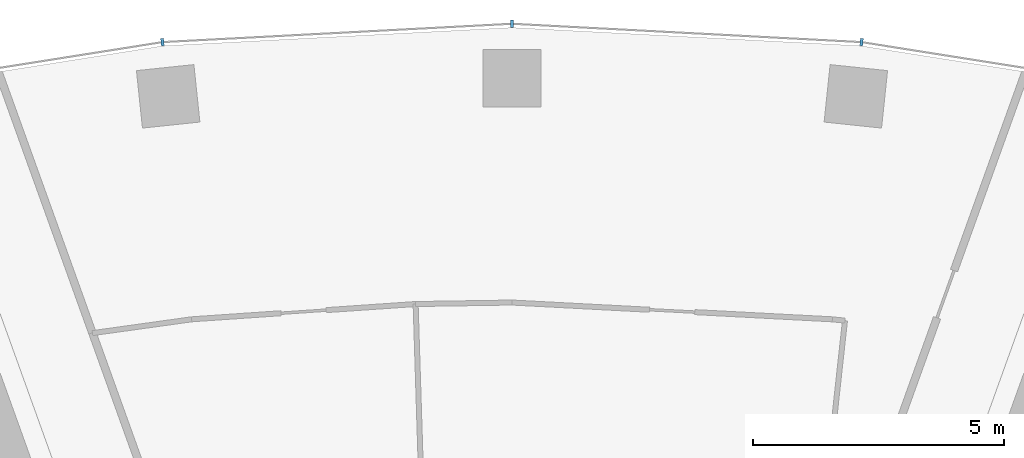
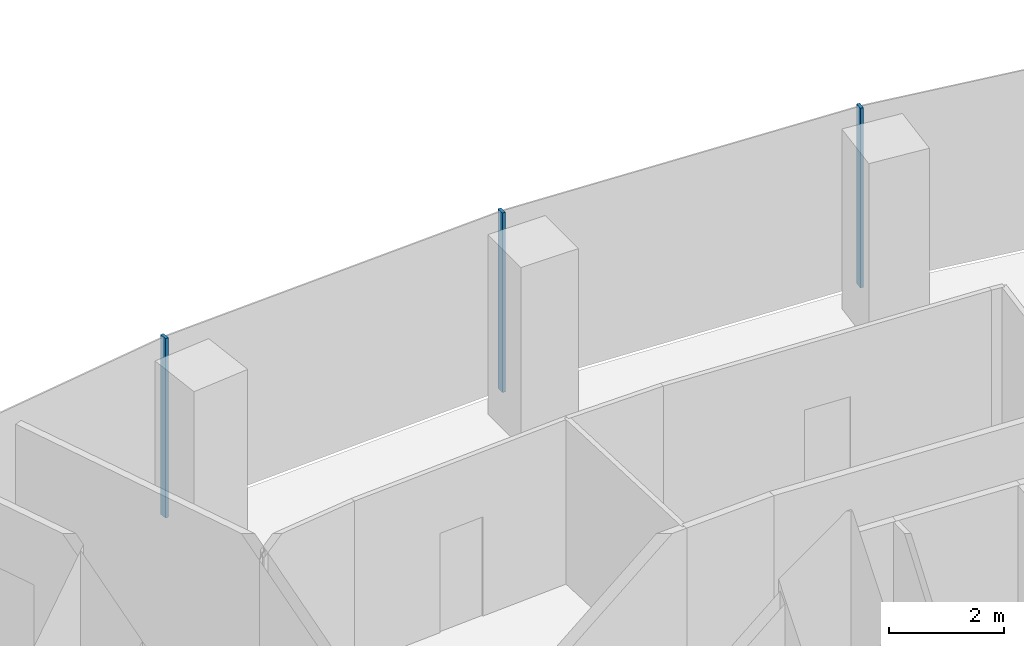
# One storey, part 7 of 21: 3 members, 1 element without a shape of its own.
"""IFC4 building model written with IfcOpenShell, lengths in metres."""

from ifc_helpers import new_model, si_unit, direction, frame, origin, origin_2d, place, context, subcontext, project, spatial, rectangle, extrude, material, layer, layer_set, material_profile, profile_set, type_object, element, aggregate, save


model = new_model("IFC4")

# Units and contexts
model_context = context("Model", 3, precision=1e-05, world=origin(), true_north=direction((0.0, 1.0)))
body_context = subcontext(model_context, "Body", "Model", "MODEL_VIEW")
ifc_project = project(units=[si_unit("LENGTHUNIT", "METRE"), si_unit("AREAUNIT", "SQUARE_METRE"), si_unit("VOLUMEUNIT", "CUBIC_METRE"), si_unit("PLANEANGLEUNIT", "RADIAN"), si_unit("MASSUNIT", "GRAM", prefix="KILO")], contexts=[model_context])

# Site, building, storey
site_placement = place(None, origin())
site = spatial("IfcSite", under=ifc_project, at=site_placement, CompositionType="ELEMENT")
building_placement = place(site_placement, origin())
building = spatial("IfcBuilding", under=site, at=building_placement, Name="Stone Belt Terrace Tower", CompositionType="ELEMENT")
storey_placement = place(building_placement, frame((0.0, 0.0, 90.800048828125)))
storey = spatial("IfcBuildingStorey", under=building, at=storey_placement, Name="L21", CompositionType="ELEMENT", Elevation=90.800048828125)

# Curtain wall, members
ifc_material = material(Name="Aluminium 6063-T6 anodised frame", Category="aluminium")
ifc_layer = layer(ifc_material, 0.14990234375)
ifc_layer_set = layer_set([ifc_layer], Name="CW-A unitised convex-face curtain wall")
curtain_wall_type = type_object("IfcCurtainWallType", Name="CW-A unitised convex-face curtain wall", PredefinedType="NOTDEFINED", material=ifc_layer_set)
curtain_wall_placement = place(storey_placement, origin())
curtain_wall = element("IfcCurtainWall", 1, at=curtain_wall_placement, inside=storey, type_object=curtain_wall_type, Name="CW-A convex face L21", PredefinedType="NOTDEFINED")
ifc_material_profile = material_profile(ifc_material, rectangle(XDim=0.14990234375, YDim=0.06005859375, at=origin_2d()), Name="Aluminium 6063-T6 60x150")
ifc_profile_set = profile_set([ifc_material_profile], Name="Aluminium 6063-T6 anodised frame")
member_type = type_object("IfcMemberType", Name="CW-A mullion 60 x 150", PredefinedType="MULLION", material=ifc_profile_set)
member_1_placement = place(storey_placement, frame((6.958984375, 66.21044921875, 0.0), z_axis=(0.0, 0.0, 1.0), x_axis=(-0.104528463268, -0.994521895368, 0.0)))
member_1 = element("IfcMember", 2, at=member_1_placement, type_object=member_type, Name="CW-A mullion 9", PredefinedType="MULLION", context=body_context, shape_type="SweptSolid", body=[
    extrude(rectangle(XDim=0.14990234375, YDim=0.06005859375, at=origin_2d()), origin(), (0.0, 0.0, 1.0), 3.800048828125),
])
member_2_placement = place(storey_placement, frame((0.0, 66.5751953125, 0.0), z_axis=(0.0, 0.0, 1.0), x_axis=(0.0, -1.0, 0.0)))
member_2 = element("IfcMember", 3, at=member_2_placement, type_object=member_type, Name="CW-A mullion 10", PredefinedType="MULLION", context=body_context, shape_type="SweptSolid", body=[
    extrude(rectangle(XDim=0.14990234375, YDim=0.06005859375, at=origin_2d()), origin(), (0.0, 0.0, 1.0), 3.800048828125),
])
member_3_placement = place(storey_placement, frame((-6.958984375, 66.21044921875, 0.0), z_axis=(0.0, 0.0, 1.0), x_axis=(0.104528463268, -0.994521895368, 0.0)))
member_3 = element("IfcMember", 4, at=member_3_placement, type_object=member_type, Name="CW-A mullion 11", PredefinedType="MULLION", context=body_context, shape_type="SweptSolid", body=[
    extrude(rectangle(XDim=0.14990234375, YDim=0.06005859375, at=origin_2d()), origin(), (0.0, 0.0, 1.0), 3.800048828125),
])
aggregate(curtain_wall, [member_1, member_2, member_3])

save(model, "model.ifc")
